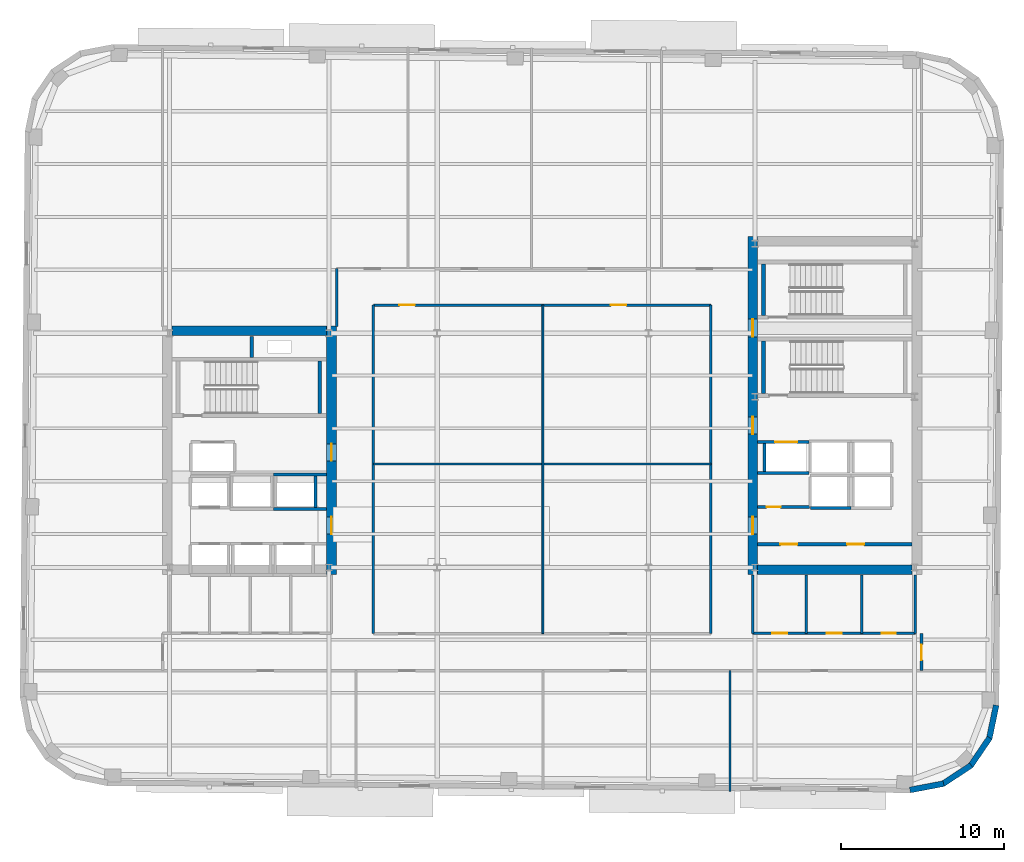
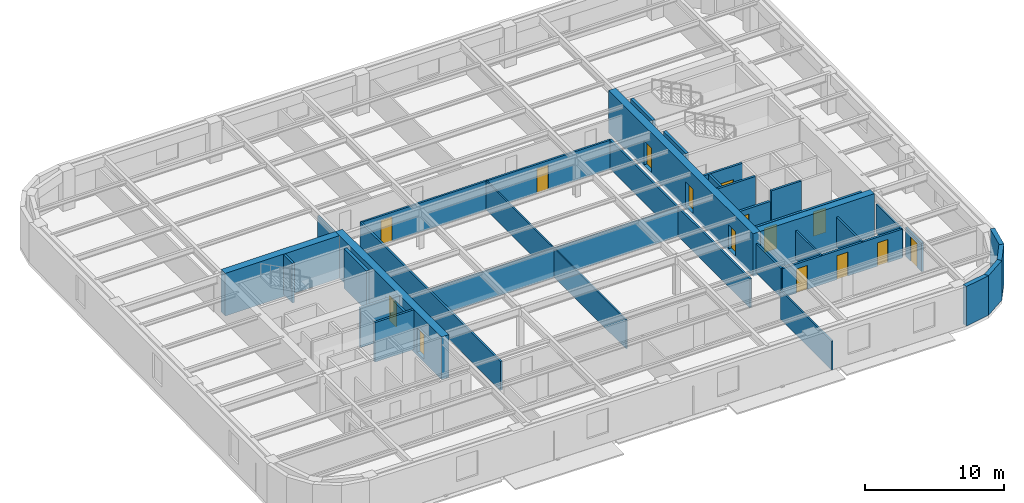
# One storey, part 5 of 11: 34 walls, 15 doors, 15 openings.
"""IFC4 building model written with IfcOpenShell, lengths in metres."""

import ifcopenshell
import ifcopenshell.guid

model = None  # the IFC model being written
_history = None  # IfcOwnerHistory: only IFC2X3 demands one
_inside = {}  # id of a spatial element -> (the spatial element, [elements in it])
_under = {}  # id of a project, library or spatial element -> (it, [spatial elements below it])
_declared = {}  # id of a project -> (the project, [libraries it declares])
_typed = {}  # id of a type object -> (the type object, [elements of that type])
_made_of = {}  # id of a material, layer set ... -> (it, [elements and type objects made of it])


def new_model(schema):
    """Start an empty IFC model of exactly this schema.

    Asked for "IFC4X3", IfcOpenShell would pick the latest addendum, in which some entities
    have other attributes; the version numbers below select the first issue.
    IFC2X3 requires an IfcOwnerHistory on every rooted entity: one is made here for all.
    """
    global model, _history
    if schema == "IFC4X3":
        model = ifcopenshell.file(schema_version=(4, 3, 0, 0))
    else:
        model = ifcopenshell.file(schema=schema)
    _inside.clear()
    _under.clear()
    _declared.clear()
    _typed.clear()
    _made_of.clear()
    _history = None
    if model.schema == "IFC2X3":
        org = make("IfcOrganization", Name="unknown")
        user = make(
            "IfcPersonAndOrganization",
            ThePerson=make("IfcPerson", FamilyName="unknown"),
            TheOrganization=org,
        )
        app = make(
            "IfcApplication",
            ApplicationDeveloper=org,
            Version="unknown",
            ApplicationFullName="unknown",
            ApplicationIdentifier="unknown",
        )
        _history = make(
            "IfcOwnerHistory",
            OwningUser=user,
            OwningApplication=app,
            ChangeAction="ADDED",
            CreationDate=0,
        )
    return model


def make(cls, **values):
    """One entity of the class cls with the attributes given. An attribute that is None is left unset."""
    return model.create_entity(
        cls, **{name: value for name, value in values.items() if value is not None}
    )


def rooted(cls, **values):
    """An entity with a GlobalId (a new one), such as an element, a storey or a relation."""
    return make(cls, GlobalId=ifcopenshell.guid.new(), OwnerHistory=_history, **values)


def si_unit(unit_type, name, prefix=None):
    """IfcSIUnit, for example si_unit("LENGTHUNIT", "METRE", prefix="MILLI")."""
    return make("IfcSIUnit", UnitType=unit_type, Prefix=prefix, Name=name)


def assignment(units):
    """IfcUnitAssignment: the units of a project."""
    return None if units is None else make("IfcUnitAssignment", Units=units)


def point(xyz):
    """IfcCartesianPoint."""
    return None if xyz is None else make("IfcCartesianPoint", Coordinates=xyz)


def direction(xyz):
    """IfcDirection."""
    return None if xyz is None else make("IfcDirection", DirectionRatios=xyz)


def frame(location, z_axis=None, x_axis=None):
    """IfcAxis2Placement3D, a coordinate frame: its origin and axes. An axis left out is left unset."""
    return make(
        "IfcAxis2Placement3D",
        Location=point(location),
        Axis=direction(z_axis),
        RefDirection=direction(x_axis),
    )


def frame_2d(location, x_axis=None):
    """IfcAxis2Placement2D, a coordinate frame in the plane: its origin and x axis."""
    return make(
        "IfcAxis2Placement2D", Location=point(location), RefDirection=direction(x_axis)
    )


def origin():
    """The frame at (0, 0, 0) with its axes left unset."""
    return frame((0.0, 0.0, 0.0))


def place(relative_to, where):
    """IfcLocalPlacement: puts the frame where relative to a parent placement (None: the world)."""
    return make(
        "IfcLocalPlacement", PlacementRelTo=relative_to, RelativePlacement=where
    )


def context(
    kind, dimensions, precision=None, world=None, true_north=None, identifier=None
):
    """IfcGeometricRepresentationContext, for example the 3D "Model" context."""
    return make(
        "IfcGeometricRepresentationContext",
        ContextIdentifier=identifier,
        ContextType=kind,
        CoordinateSpaceDimension=dimensions,
        Precision=precision,
        WorldCoordinateSystem=world,
        TrueNorth=true_north,
    )


def subcontext(parent, identifier, kind, view, scale=None):
    """IfcGeometricRepresentationSubContext, for example "Body" below "Model"."""
    return make(
        "IfcGeometricRepresentationSubContext",
        ContextIdentifier=identifier,
        ContextType=kind,
        ParentContext=parent,
        TargetScale=scale,
        TargetView=view,
    )


def project(units=None, contexts=None):
    """IfcProject with its units and contexts."""
    return rooted(
        "IfcProject",
        Name="project",
        RepresentationContexts=contexts,
        UnitsInContext=assignment(units),
    )


def spatial(cls, under=None, at=None, **own):
    """A site, building, storey or space (cls), placed at a placement, below another one or the project."""
    s = rooted(cls, ObjectPlacement=at, **own)
    if under is not None:
        _under.setdefault(under.id(), (under, []))[1].append(s)
    return s


def profile(cls, at=None, kind="AREA", **sizes):
    """A parametric profile (cls). Its sizes go by their IFC names, for example OverallWidth=200.0."""
    return make(cls, ProfileType=kind, Position=at, **sizes)


def rectangle(**sizes):
    """IfcRectangleProfileDef."""
    return profile("IfcRectangleProfileDef", **sizes)


def extrude(swept, where, along, depth):
    """IfcExtrudedAreaSolid: the profile swept, set in the frame where, extruded along a direction by depth."""
    return make(
        "IfcExtrudedAreaSolid",
        SweptArea=swept,
        Position=where,
        ExtrudedDirection=direction(along),
        Depth=depth,
    )


def shape(context_of_items, identifier, shape_type, items):
    """IfcShapeRepresentation: the items that make up one representation, for example the "Body"."""
    return make(
        "IfcShapeRepresentation",
        ContextOfItems=context_of_items,
        RepresentationIdentifier=identifier,
        RepresentationType=shape_type,
        Items=items,
    )


def material(Name=None, Category=None):
    """IfcMaterial."""
    return make("IfcMaterial", Name=Name, Category=Category)


def layer(
    of_material, thickness, ventilated=None, Name=None, Category=None, Priority=None
):
    """IfcMaterialLayer: one layer of a wall or slab, of a material (None: an air gap)."""
    return make(
        "IfcMaterialLayer",
        Material=of_material,
        LayerThickness=thickness,
        IsVentilated=ventilated,
        Name=Name,
        Category=Category,
        Priority=Priority,
    )


def layer_set(layers, Name=None):
    """IfcMaterialLayerSet."""
    return make("IfcMaterialLayerSet", MaterialLayers=layers, LayerSetName=Name)


def made_of(thing, what):
    """Note that an element or type object is made of a material, layer set ...; save() writes the relation."""
    if what is not None:
        _made_of.setdefault(what.id(), (what, []))[1].append(thing)
    return thing


def type_object(cls, material=None, **own):
    """A type object (cls), such as IfcWallType, which elements share."""
    return made_of(rooted(cls, **own), material)


def element(
    cls,
    number,
    at=None,
    inside=None,
    cuts=None,
    type_object=None,
    material=None,
    context=None,
    identifier="Body",
    shape_type=None,
    held_by="IfcProductDefinitionShape",
    body=None,
    shapes=None,
    **own,
):
    """One element of the class cls, such as IfcWall. Its Tag is "e" and its number.

    at: its placement. inside: the storey or other place that contains it. cuts: it is an
    opening in that element (IfcRelVoidsElement). A single representation is given by context,
    identifier, shape_type and body (its items); several are given by shapes. held_by: the class
    of the entity that holds the representations. save() writes the other relations.
    """
    e = rooted(cls, Tag="e%d" % number, ObjectPlacement=at, **own)
    if body is not None:
        shapes = [shape(context, identifier, shape_type, body)]
    if shapes is not None:
        e.Representation = make(held_by, Representations=shapes)
    if inside is not None:
        _inside.setdefault(inside.id(), (inside, []))[1].append(e)
    if cuts is not None:
        rooted(
            "IfcRelVoidsElement", RelatingBuildingElement=cuts, RelatedOpeningElement=e
        )
    if type_object is not None:
        _typed.setdefault(type_object.id(), (type_object, []))[1].append(e)
    return made_of(e, material)


def fill(opening, filler):
    """IfcRelFillsElement: the door or window that sits in an opening."""
    return rooted(
        "IfcRelFillsElement",
        RelatingOpeningElement=opening,
        RelatedBuildingElement=filler,
    )


def aggregate(whole, parts):
    """IfcRelAggregates: a whole, such as a stair, and the parts it consists of."""
    return rooted("IfcRelAggregates", RelatingObject=whole, RelatedObjects=parts)


def save(model, path):
    """Write the relations noted so far, then the file.

    IfcRelAggregates (storeys below a building ...), IfcRelContainedInSpatialStructure (elements
    in a storey), IfcRelDefinesByType, IfcRelAssociatesMaterial and IfcRelDeclares: one each for
    every whole, place, type object, material and project.
    """
    for whole, parts in _under.values():
        aggregate(whole, parts)
    for where, things in _inside.values():
        rooted(
            "IfcRelContainedInSpatialStructure",
            RelatedElements=things,
            RelatingStructure=where,
        )
    for kind, things in _typed.values():
        rooted("IfcRelDefinesByType", RelatedObjects=things, RelatingType=kind)
    for what, things in _made_of.values():
        rooted("IfcRelAssociatesMaterial", RelatedObjects=things, RelatingMaterial=what)
    for by, libraries in _declared.values():
        rooted("IfcRelDeclares", RelatingContext=by, RelatedDefinitions=libraries)
    model.write(path)


model = new_model("IFC4")

# Units and contexts
model_context = context("Model", 3, precision=1e-05, world=origin(), true_north=direction((0.0, 1.0)))
body_context = subcontext(model_context, "Body", "Model", "MODEL_VIEW")
ifc_project = project(units=[si_unit("LENGTHUNIT", "METRE"), si_unit("AREAUNIT", "SQUARE_METRE"), si_unit("VOLUMEUNIT", "CUBIC_METRE"), si_unit("PLANEANGLEUNIT", "RADIAN"), si_unit("MASSUNIT", "GRAM", prefix="KILO")], contexts=[model_context])

# Site, building, storey
site_placement = place(None, origin())
site = spatial("IfcSite", under=ifc_project, at=site_placement, CompositionType="ELEMENT")
building_placement = place(site_placement, origin())
building = spatial("IfcBuilding", under=site, at=building_placement, Name="Kolvaren Arena Tower", CompositionType="ELEMENT")
storey_placement = place(building_placement, frame((0.0, 0.0, 203.449951171875)))
storey = spatial("IfcBuildingStorey", under=building, at=storey_placement, Name="L49", CompositionType="ELEMENT", Elevation=203.449951171875)

# Wall
ifc_material_1 = material(Name="Gypsum board acoustic assembly", Category="gypsum")
ifc_layer_1 = layer(ifc_material_1, 0.159912109375)
ifc_layer_set_1 = layer_set([ifc_layer_1], Name="Gypsum board acoustic assembly")
wall_type_1 = type_object("IfcWallType", Name="CORR-160", PredefinedType="PARTITIONING", material=ifc_layer_set_1)
wall_1_placement = place(storey_placement, frame((24.820068359375, 34.25, 0.0), z_axis=(0.0, 0.0, 1.0), x_axis=(0.0, 1.0, 0.0)))
element("IfcWall", 1, at=wall_1_placement, inside=storey, type_object=wall_type_1, Name="Interior Partition Wall (L49)", PredefinedType="PARTITIONING", context=body_context, shape_type="SweptSolid", body=[
    extrude(rectangle(XDim=3.570068359375, YDim=0.159912109375, at=frame_2d((1.78515625, 0.0))), origin(), (0.0, 0.0, 1.0), 2.5400390625),
])

# Wall, openings, doors
wall_2_placement = place(storey_placement, frame((27.080078125, 35.580078125, 0.0), z_axis=(0.0, 0.0, 1.0), x_axis=(1.0, 0.0, 0.0)))
wall_2 = element("IfcWall", 2, at=wall_2_placement, inside=storey, type_object=wall_type_1, Name="Interior Partition Wall (L49)", PredefinedType="PARTITIONING", context=body_context, shape_type="SweptSolid", body=[
    extrude(rectangle(XDim=20.739990234375, YDim=0.159912109375, at=frame_2d((10.3701171875, 0.0))), origin(), (0.0, 0.0, 1.0), 2.5400390625),
])
opening_1_placement = place(wall_2_placement, frame((1.594970703125, 0.0, 0.0)))
opening_1 = element("IfcOpeningElement", 3, at=opening_1_placement, cuts=wall_2, Name="Opening D05", PredefinedType="OPENING", context=body_context, shape_type="SweptSolid", body=[
    extrude(rectangle(XDim=0.949951171875, YDim=2.14990234375, at=frame_2d((0.47509765625, 1.074951171875))), frame((0.0, 0.08984375, 0.0), z_axis=(0.0, -1.0, 0.0), x_axis=(1.0, 0.0, 0.0)), (0.0, 0.0, 1.0), 0.179931640625),
])
opening_2_placement = place(wall_2_placement, frame((14.594970703125, 0.0, 0.0)))
opening_2 = element("IfcOpeningElement", 4, at=opening_2_placement, cuts=wall_2, Name="Opening D05", PredefinedType="OPENING", context=body_context, shape_type="SweptSolid", body=[
    extrude(rectangle(XDim=0.949951171875, YDim=2.14990234375, at=frame_2d((0.47509765625, 1.074951171875))), frame((0.0, 0.08984375, 0.0), z_axis=(0.0, -1.0, 0.0), x_axis=(1.0, 0.0, 0.0)), (0.0, 0.0, 1.0), 0.179931640625),
])
ifc_material_2 = material(Name="Solid-core oak acoustic office door", Category="wood")
door_type_1 = type_object("IfcDoorType", Name="DOOR-OF-095", OperationType="NOTDEFINED", PredefinedType="DOOR", material=ifc_material_2)
door_1_placement = place(opening_1_placement, origin())
door_1 = element("IfcDoor", 5, at=door_1_placement, inside=storey, type_object=door_type_1, Name="Collaborative Work Studio Door (L49)", OperationType="SINGLE_SWING_LEFT", OverallHeight=2.14990234375, OverallWidth=0.949951171875, PredefinedType="DOOR", context=body_context, shape_type="SweptSolid", body=[
    extrude(rectangle(XDim=0.949951171875, YDim=2.14990234375, at=frame_2d((0.47509765625, 1.074951171875))), frame((0.0, 0.02490234375, 0.0), z_axis=(0.0, -1.0, 0.0), x_axis=(1.0, 0.0, 0.0)), (0.0, 0.0, 1.0), 0.050048828125),
])
fill(opening_1, door_1)
door_2_placement = place(opening_2_placement, origin())
door_2 = element("IfcDoor", 6, at=door_2_placement, inside=storey, type_object=door_type_1, Name="Corporate Project Office Door (L49)", OperationType="SINGLE_SWING_LEFT", OverallHeight=2.14990234375, OverallWidth=0.949951171875, PredefinedType="DOOR", context=body_context, shape_type="SweptSolid", body=[
    extrude(rectangle(XDim=0.949951171875, YDim=2.14990234375, at=frame_2d((0.47509765625, 1.074951171875))), frame((0.0, 0.02490234375, 0.0), z_axis=(0.0, -1.0, 0.0), x_axis=(1.0, 0.0, 0.0)), (0.0, 0.0, 1.0), 0.050048828125),
])
fill(opening_2, door_2)

# Walls
for number, where, z_axis, x_axis, name in (
    (7, (27.080078125, 15.3798828125, 0.0), (0.0, 0.0, 1.0), (0.0, 1.0, 0.0), "Interior Partition Wall (L49)"),
    (8, (47.820068359375, 15.3798828125, 0.0), (0.0, 0.0, 1.0), (0.0, 1.0, 0.0), "Interior Partition Wall (L49)"),
):
    element("IfcWall", number, at=place(storey_placement, frame(where, z_axis=z_axis, x_axis=x_axis)), inside=storey, type_object=wall_type_1, Name=name, PredefinedType="PARTITIONING", context=body_context, shape_type="SweptSolid", body=[
        extrude(rectangle(XDim=20.2001953125, YDim=0.159912109375, at=frame_2d((10.10009765625, 0.0))), origin(), (0.0, 0.0, 1.0), 2.5400390625),
    ])

# Wall, opening, door
wall_3_placement = place(storey_placement, frame((60.780029296875, 13.10009765625, 0.0), z_axis=(0.0, 0.0, 1.0), x_axis=(0.0, 1.0, 0.0)))
wall_3 = element("IfcWall", 9, at=wall_3_placement, inside=storey, type_object=wall_type_1, Name="Interior Partition Wall (L49)", PredefinedType="PARTITIONING", context=body_context, shape_type="SweptSolid", body=[
    extrude(rectangle(XDim=2.2998046875, YDim=0.159912109375, at=frame_2d((1.14990234375, 0.0))), origin(), (0.0, 0.0, 1.0), 2.5400390625),
])
opening_3_placement = place(wall_3_placement, frame((0.64990234375, 0.0, 0.0)))
opening_3 = element("IfcOpeningElement", 10, at=opening_3_placement, cuts=wall_3, Name="Opening D05", PredefinedType="OPENING", context=body_context, shape_type="SweptSolid", body=[
    extrude(rectangle(XDim=0.949951171875, YDim=2.14990234375, at=frame_2d((0.47509765625, 1.074951171875))), frame((0.0, 0.08984375, 0.0), z_axis=(0.0, -1.0, 0.0), x_axis=(1.0, 0.0, 0.0)), (0.0, 0.0, 1.0), 0.179931640625),
])
door_3_placement = place(opening_3_placement, origin())
door_3 = element("IfcDoor", 11, at=door_3_placement, inside=storey, type_object=door_type_1, Name="East Wing Studio Door (L49)", OperationType="SINGLE_SWING_RIGHT", OverallHeight=2.14990234375, OverallWidth=0.949951171875, PredefinedType="DOOR", context=body_context, shape_type="SweptSolid", body=[
    extrude(rectangle(XDim=0.949951171875, YDim=2.14990234375, at=frame_2d((0.47509765625, 1.074951171875))), frame((0.0, 0.02490234375, 0.0), z_axis=(0.0, -1.0, 0.0), x_axis=(1.0, 0.0, 0.0)), (0.0, 0.0, 1.0), 0.050048828125),
])
fill(opening_3, door_3)

# Wall, openings, doors
ifc_material_3 = material(Name="Concrete 60 MPa", Category="concrete")
ifc_layer_2 = layer(ifc_material_3, 0.60009765625)
ifc_layer_set_2 = layer_set([ifc_layer_2], Name="Concrete 60 MPa")
wall_type_2 = type_object("IfcWallType", Name="CWALL-600", PredefinedType="SHEAR", material=ifc_layer_set_2)
wall_4_placement = place(storey_placement, frame((24.5, 19.0, -0.27001953125), z_axis=(0.0, 0.0, 1.0), x_axis=(0.0, 1.0, 0.0)))
wall_4 = element("IfcWall", 12, at=wall_4_placement, inside=storey, type_object=wall_type_2, Name="Core Shear Wall WC-EAST (L49)", PredefinedType="SHEAR", context=body_context, shape_type="SweptSolid", body=[
    extrude(rectangle(XDim=15.300048828125, YDim=0.60009765625, at=frame_2d((7.64990234375, 0.0))), origin(), (0.0, 0.0, 1.0), 3.75),
])
opening_4_placement = place(wall_4_placement, frame((2.5, 0.0, 0.27001953125)))
opening_4 = element("IfcOpeningElement", 13, at=opening_4_placement, cuts=wall_4, Name="Opening D04", PredefinedType="OPENING", context=body_context, shape_type="SweptSolid", body=[
    extrude(rectangle(XDim=1.050048828125, YDim=2.14990234375, at=frame_2d((0.52490234375, 1.074951171875))), frame((0.0, 0.31005859375, 0.0), z_axis=(0.0, -1.0, 0.0), x_axis=(1.0, 0.0, 0.0)), (0.0, 0.0, 1.0), 0.6201171875),
])
opening_5_placement = place(wall_4_placement, frame((7.0, 0.0, 0.27001953125)))
opening_5 = element("IfcOpeningElement", 14, at=opening_5_placement, cuts=wall_4, Name="Opening D04", PredefinedType="OPENING", context=body_context, shape_type="SweptSolid", body=[
    extrude(rectangle(XDim=1.050048828125, YDim=2.14990234375, at=frame_2d((0.52490234375, 1.074951171875))), frame((0.0, 0.31005859375, 0.0), z_axis=(0.0, -1.0, 0.0), x_axis=(1.0, 0.0, 0.0)), (0.0, 0.0, 1.0), 0.6201171875),
])
ifc_material_4 = material(Name="Fire-rated steel lobby door", Category="steel")
door_type_2 = type_object("IfcDoorType", Name="DOOR-FF-105", OperationType="NOTDEFINED", PredefinedType="DOOR", material=ifc_material_4)
door_4_placement = place(opening_4_placement, origin())
door_4 = element("IfcDoor", 15, at=door_4_placement, inside=storey, type_object=door_type_2, Name="West Lift Lobby Fire Door (L49)", OperationType="SINGLE_SWING_LEFT", OverallHeight=2.14990234375, OverallWidth=1.050048828125, PredefinedType="DOOR", context=body_context, shape_type="SweptSolid", body=[
    extrude(rectangle(XDim=1.050048828125, YDim=2.14990234375, at=frame_2d((0.52490234375, 1.074951171875))), frame((0.0, 0.02490234375, 0.0), z_axis=(0.0, -1.0, 0.0), x_axis=(1.0, 0.0, 0.0)), (0.0, 0.0, 1.0), 0.050048828125),
])
fill(opening_4, door_4)
door_5_placement = place(opening_5_placement, origin())
door_5 = element("IfcDoor", 16, at=door_5_placement, inside=storey, type_object=door_type_2, Name="West Firefighter Vestibule Door (L49)", OperationType="SINGLE_SWING_RIGHT", OverallHeight=2.14990234375, OverallWidth=1.050048828125, PredefinedType="DOOR", context=body_context, shape_type="SweptSolid", body=[
    extrude(rectangle(XDim=1.050048828125, YDim=2.14990234375, at=frame_2d((0.52490234375, 1.074951171875))), frame((0.0, 0.02490234375, 0.0), z_axis=(0.0, -1.0, 0.0), x_axis=(1.0, 0.0, 0.0)), (0.0, 0.0, 1.0), 0.050048828125),
])
fill(opening_5, door_5)

# Wall
wall_5_placement = place(storey_placement, frame((14.699951171875, 34.0, -0.27001953125), z_axis=(0.0, 0.0, 1.0), x_axis=(1.0, 0.0, 0.0)))
element("IfcWall", 17, at=wall_5_placement, inside=storey, type_object=wall_type_2, Name="Core Shear Wall WC-NORTH (L49)", PredefinedType="SHEAR", context=body_context, shape_type="SweptSolid", body=[
    extrude(rectangle(XDim=9.5, YDim=0.60009765625, at=frame_2d((4.75, 0.0))), origin(), (0.0, 0.0, 1.0), 3.75),
])

# Wall, openings, doors
wall_6_placement = place(storey_placement, frame((50.39990234375, 19.0, -0.27001953125), z_axis=(0.0, 0.0, 1.0), x_axis=(0.0, 1.0, 0.0)))
wall_6 = element("IfcWall", 18, at=wall_6_placement, inside=storey, type_object=wall_type_2, Name="Core Shear Wall EC-WEST (L49)", PredefinedType="SHEAR", context=body_context, shape_type="SweptSolid", body=[
    extrude(rectangle(XDim=20.800048828125, YDim=0.60009765625, at=frame_2d((10.39990234375, 0.0))), origin(), (0.0, 0.0, 1.0), 3.75),
])
opening_6_placement = place(wall_6_placement, frame((2.5, 0.0, 0.27001953125)))
opening_6 = element("IfcOpeningElement", 19, at=opening_6_placement, cuts=wall_6, Name="Opening D04", PredefinedType="OPENING", context=body_context, shape_type="SweptSolid", body=[
    extrude(rectangle(XDim=1.050048828125, YDim=2.14990234375, at=frame_2d((0.52490234375, 1.074951171875))), frame((0.0, 0.31005859375, 0.0), z_axis=(0.0, -1.0, 0.0), x_axis=(1.0, 0.0, 0.0)), (0.0, 0.0, 1.0), 0.6201171875),
])
opening_7_placement = place(wall_6_placement, frame((8.64990234375, 0.0, 0.27001953125)))
opening_7 = element("IfcOpeningElement", 20, at=opening_7_placement, cuts=wall_6, Name="Opening D04", PredefinedType="OPENING", context=body_context, shape_type="SweptSolid", body=[
    extrude(rectangle(XDim=1.050048828125, YDim=2.14990234375, at=frame_2d((0.52490234375, 1.074951171875))), frame((0.0, 0.31005859375, 0.0), z_axis=(0.0, -1.0, 0.0), x_axis=(1.0, 0.0, 0.0)), (0.0, 0.0, 1.0), 0.6201171875),
])
opening_8_placement = place(wall_6_placement, frame((14.6201171875, 0.0, 0.27001953125)))
opening_8 = element("IfcOpeningElement", 21, at=opening_8_placement, cuts=wall_6, Name="Opening D03", PredefinedType="OPENING", context=body_context, shape_type="SweptSolid", body=[
    extrude(rectangle(XDim=1.10009765625, YDim=2.14990234375, at=frame_2d((0.550048828125, 1.074951171875))), frame((0.0, 0.31005859375, 0.0), z_axis=(0.0, -1.0, 0.0), x_axis=(1.0, 0.0, 0.0)), (0.0, 0.0, 1.0), 0.6201171875),
])
door_6_placement = place(opening_6_placement, origin())
door_6 = element("IfcDoor", 22, at=door_6_placement, inside=storey, type_object=door_type_2, Name="East Lift Lobby Fire Door (L49)", OperationType="SINGLE_SWING_RIGHT", OverallHeight=2.14990234375, OverallWidth=1.050048828125, PredefinedType="DOOR", context=body_context, shape_type="SweptSolid", body=[
    extrude(rectangle(XDim=1.050048828125, YDim=2.14990234375, at=frame_2d((0.52490234375, 1.074951171875))), frame((0.0, 0.02490234375, 0.0), z_axis=(0.0, -1.0, 0.0), x_axis=(1.0, 0.0, 0.0)), (0.0, 0.0, 1.0), 0.050048828125),
])
fill(opening_6, door_6)
door_7_placement = place(opening_7_placement, origin())
door_7 = element("IfcDoor", 23, at=door_7_placement, inside=storey, type_object=door_type_2, Name="East Firefighter Vestibule Door (L49)", OperationType="SINGLE_SWING_LEFT", OverallHeight=2.14990234375, OverallWidth=1.050048828125, PredefinedType="DOOR", context=body_context, shape_type="SweptSolid", body=[
    extrude(rectangle(XDim=1.050048828125, YDim=2.14990234375, at=frame_2d((0.52490234375, 1.074951171875))), frame((0.0, 0.02490234375, 0.0), z_axis=(0.0, -1.0, 0.0), x_axis=(1.0, 0.0, 0.0)), (0.0, 0.0, 1.0), 0.050048828125),
])
fill(opening_7, door_7)
ifc_material_5 = material(Name="Fire-rated steel exit stair door", Category="steel")
door_type_3 = type_object("IfcDoorType", Name="DOOR-ST-110", OperationType="NOTDEFINED", PredefinedType="DOOR", material=ifc_material_5)
door_8_placement = place(opening_8_placement, origin())
door_8 = element("IfcDoor", 24, at=door_8_placement, inside=storey, type_object=door_type_3, Name="Stair ST-E2 Vestibule Fire Door (L49)", OperationType="SINGLE_SWING_LEFT", OverallHeight=2.14990234375, OverallWidth=1.10009765625, PredefinedType="DOOR", context=body_context, shape_type="SweptSolid", body=[
    extrude(rectangle(XDim=1.10009765625, YDim=2.14990234375, at=frame_2d((0.550048828125, 1.074951171875))), frame((0.0, 0.02490234375, 0.0), z_axis=(0.0, -1.0, 0.0), x_axis=(1.0, 0.0, 0.0)), (0.0, 0.0, 1.0), 0.050048828125),
])
fill(opening_8, door_8)

# Walls
wall_7_placement = place(storey_placement, frame((50.699951171875, 19.300048828125, -0.27001953125), z_axis=(0.0, 0.0, 1.0), x_axis=(1.0, 0.0, 0.0)))
element("IfcWall", 25, at=wall_7_placement, inside=storey, type_object=wall_type_2, Name="Core Shear Wall EC-SOUTH (L49)", PredefinedType="SHEAR", context=body_context, shape_type="SweptSolid", body=[
    extrude(rectangle(XDim=9.5, YDim=0.60009765625, at=frame_2d((4.75, 0.0))), origin(), (0.0, 0.0, 1.0), 3.75),
])
ifc_material_6 = material(Name="Precast concrete C50/60", Category="concrete")
ifc_layer_3 = layer(ifc_material_6, 0.360107421875)
ifc_layer_set_3 = layer_set([ifc_layer_3], Name="Precast concrete C50/60")
wall_type_3 = type_object("IfcWallType", Name="EXT-PIER2", PredefinedType="SOLIDWALL", material=ifc_layer_set_3)
wall_8_placement = place(storey_placement, frame((62.136474609375, 6.155029296875, 0.0), z_axis=(0.0, 0.0, 1.0), x_axis=(-0.98246713518, -0.186435855703, 0.0)))
element("IfcWall", 26, at=wall_8_placement, inside=storey, type_object=wall_type_3, Name="Exterior Precast Masonry-Frame Wall (L49)", PredefinedType="SOLIDWALL", context=body_context, shape_type="SweptSolid", body=[
    extrude(rectangle(XDim=2.10693359375, YDim=0.360107421875, at=frame_2d((1.053466796875, 0.0))), origin(), (0.0, 0.0, 1.0), 3.47998046875),
])
wall_9_placement = place(storey_placement, frame((63.83349609375, 7.2841796875, 0.0), z_axis=(0.0, 0.0, 1.0), x_axis=(-0.836303589916, -0.548266637224, 0.0)))
element("IfcWall", 27, at=wall_9_placement, inside=storey, type_object=wall_type_3, Name="Exterior Precast Masonry-Frame Wall (L49)", PredefinedType="SOLIDWALL", context=body_context, shape_type="SweptSolid", body=[
    extrude(rectangle(XDim=2.107177734375, YDim=0.360107421875, at=frame_2d((1.0537109375, 0.0))), origin(), (0.0, 0.0, 1.0), 3.47998046875),
])
for number, where, z_axis, x_axis, name in (
    (28, (64.968994140625, 8.9765625, 0.0), (0.0, 0.0, 1.0), (-0.56277581689, -0.826609569219, 0.0), "Exterior Precast Masonry-Frame Wall (L49)"),
    (29, (65.370849609375, 10.974609375, 0.0), (0.0, 0.0, 1.0), (-0.203709000552, -0.979031482177, 0.0), "Exterior Precast Masonry-Frame Wall (L49)"),
):
    element("IfcWall", number, at=place(storey_placement, frame(where, z_axis=z_axis, x_axis=x_axis)), inside=storey, type_object=wall_type_3, Name=name, PredefinedType="SOLIDWALL", context=body_context, shape_type="SweptSolid", body=[
        extrude(rectangle(XDim=2.10693359375, YDim=0.360107421875, at=frame_2d((1.053466796875, 0.0))), origin(), (0.0, 0.0, 1.0), 3.47998046875),
    ])

# Wall, openings, doors
ifc_material_7 = material(Name="Concrete 40 MPa", Category="concrete")
ifc_layer_4 = layer(ifc_material_7, 0.199951171875)
ifc_layer_set_4 = layer_set([ifc_layer_4], Name="Concrete 40 MPa")
wall_type_4 = type_object("IfcWallType", Name="LOBBY-200", PredefinedType="SOLIDWALL", material=ifc_layer_set_4)
wall_10_placement = place(storey_placement, frame((50.699951171875, 20.8798828125, 0.0), z_axis=(0.0, 0.0, 1.0), x_axis=(1.0, 0.0, 0.0)))
wall_10 = element("IfcWall", 30, at=wall_10_placement, inside=storey, type_object=wall_type_4, Name="Core Shaft Wall (L49)", PredefinedType="SOLIDWALL", context=body_context, shape_type="SweptSolid", body=[
    extrude(rectangle(XDim=9.5, YDim=0.199951171875, at=frame_2d((4.75, 0.0))), origin(), (0.0, 0.0, 1.0), 2.5400390625),
])
opening_9_placement = place(wall_10_placement, frame((1.39990234375, 0.0, 0.0)))
opening_9 = element("IfcOpeningElement", 31, at=opening_9_placement, cuts=wall_10, Name="Opening D04", PredefinedType="OPENING", context=body_context, shape_type="SweptSolid", body=[
    extrude(rectangle(XDim=1.050048828125, YDim=2.14990234375, at=frame_2d((0.52490234375, 1.074951171875))), frame((0.0, 0.10986328125, 0.0), z_axis=(0.0, -1.0, 0.0), x_axis=(1.0, 0.0, 0.0)), (0.0, 0.0, 1.0), 0.219970703125),
])
opening_10_placement = place(wall_10_placement, frame((5.5, 0.0, 0.0)))
opening_10 = element("IfcOpeningElement", 32, at=opening_10_placement, cuts=wall_10, Name="Opening D04", PredefinedType="OPENING", context=body_context, shape_type="SweptSolid", body=[
    extrude(rectangle(XDim=1.050048828125, YDim=2.14990234375, at=frame_2d((0.52490234375, 1.074951171875))), frame((0.0, 0.10986328125, 0.0), z_axis=(0.0, -1.0, 0.0), x_axis=(1.0, 0.0, 0.0)), (0.0, 0.0, 1.0), 0.219970703125),
])
door_9_placement = place(opening_9_placement, origin())
door_9 = element("IfcDoor", 33, at=door_9_placement, inside=storey, type_object=door_type_2, Name="East Telecom Room Fire Door (L49)", OperationType="SINGLE_SWING_RIGHT", OverallHeight=2.14990234375, OverallWidth=1.050048828125, PredefinedType="DOOR", context=body_context, shape_type="SweptSolid", body=[
    extrude(rectangle(XDim=1.050048828125, YDim=2.14990234375, at=frame_2d((0.52490234375, 1.074951171875))), frame((0.0, 0.02490234375, 0.0), z_axis=(0.0, -1.0, 0.0), x_axis=(1.0, 0.0, 0.0)), (0.0, 0.0, 1.0), 0.050048828125),
])
fill(opening_9, door_9)
door_10_placement = place(opening_10_placement, origin())
door_10 = element("IfcDoor", 34, at=door_10_placement, inside=storey, type_object=door_type_2, Name="East Records Room Fire Door (L49)", OperationType="SINGLE_SWING_LEFT", OverallHeight=2.14990234375, OverallWidth=1.050048828125, PredefinedType="DOOR", context=body_context, shape_type="SweptSolid", body=[
    extrude(rectangle(XDim=1.050048828125, YDim=2.14990234375, at=frame_2d((0.52490234375, 1.074951171875))), frame((0.0, 0.02490234375, 0.0), z_axis=(0.0, -1.0, 0.0), x_axis=(1.0, 0.0, 0.0)), (0.0, 0.0, 1.0), 0.050048828125),
])
fill(opening_10, door_10)

# Wall, opening, door
wall_11_placement = place(storey_placement, frame((50.699951171875, 23.159912109375, 0.0), z_axis=(0.0, 0.0, 1.0), x_axis=(1.0, 0.0, 0.0)))
wall_11 = element("IfcWall", 35, at=wall_11_placement, inside=storey, type_object=wall_type_4, Name="Core Shaft Wall (L49)", PredefinedType="SOLIDWALL", context=body_context, shape_type="SweptSolid", body=[
    extrude(rectangle(XDim=3.179931640625, YDim=0.199951171875, at=frame_2d((1.58984375, 0.0))), origin(), (0.0, 0.0, 1.0), 2.5400390625),
])
opening_11_placement = place(wall_11_placement, frame((0.550048828125, 0.0, 0.0)))
opening_11 = element("IfcOpeningElement", 36, at=opening_11_placement, cuts=wall_11, Name="Opening D09", PredefinedType="OPENING", context=body_context, shape_type="SweptSolid", body=[
    extrude(rectangle(XDim=0.860107421875, YDim=2.050048828125, at=frame_2d((0.43017578125, 1.02490234375))), frame((0.0, 0.10986328125, 0.0), z_axis=(0.0, -1.0, 0.0), x_axis=(1.0, 0.0, 0.0)), (0.0, 0.0, 1.0), 0.219970703125),
])
ifc_material_8 = material(Name="Fire-rated steel riser access door", Category="steel")
door_type_4 = type_object("IfcDoorType", Name="DOOR-RS-086", OperationType="NOTDEFINED", PredefinedType="DOOR", material=ifc_material_8)
door_11_placement = place(opening_11_placement, origin())
door_11 = element("IfcDoor", 37, at=door_11_placement, inside=storey, type_object=door_type_4, Name="East AV Riser Closet Door (L49)", OperationType="SINGLE_SWING_LEFT", OverallHeight=2.050048828125, OverallWidth=0.860107421875, PredefinedType="DOOR", context=body_context, shape_type="SweptSolid", body=[
    extrude(rectangle(XDim=0.860107421875, YDim=2.050048828125, at=frame_2d((0.43017578125, 1.02490234375))), frame((0.0, 0.02490234375, 0.0), z_axis=(0.0, -1.0, 0.0), x_axis=(1.0, 0.0, 0.0)), (0.0, 0.0, 1.0), 0.050048828125),
])
fill(opening_11, door_11)

# Walls
ifc_material_9 = material(Name="Gypsum board partition assembly", Category="gypsum")
ifc_layer_5 = layer(ifc_material_9, 0.114990234375)
ifc_layer_set_5 = layer_set([ifc_layer_5], Name="Gypsum board partition assembly")
wall_type_5 = type_object("IfcWallType", Name="PART-115", PredefinedType="PARTITIONING", material=ifc_layer_set_5)
wall_12_placement = place(storey_placement, frame((37.5, 15.3798828125, 0.0), z_axis=(0.0, 0.0, 1.0), x_axis=(0.0, 1.0, 0.0)))
element("IfcWall", 38, at=wall_12_placement, inside=storey, type_object=wall_type_5, Name="Interior Partition Wall (L49)", PredefinedType="PARTITIONING", context=body_context, shape_type="SweptSolid", body=[
    extrude(rectangle(XDim=20.2001953125, YDim=0.114990234375, at=frame_2d((10.10009765625, 0.0))), origin(), (0.0, 0.0, 1.0), 2.5400390625),
])
ifc_layer_6 = layer(ifc_material_9, 0.135009765625)
ifc_layer_set_6 = layer_set([ifc_layer_6], Name="Gypsum board partition assembly")
wall_type_6 = type_object("IfcWallType", Name="PART-135", PredefinedType="PARTITIONING", material=ifc_layer_set_6)
wall_13_placement = place(storey_placement, frame((49.0, 5.68212890625, 0.0), z_axis=(0.0, 0.0, 1.0), x_axis=(0.0, 1.0, 0.0)))
element("IfcWall", 39, at=wall_13_placement, inside=storey, type_object=wall_type_6, Name="Interior Partition Wall (L49)", PredefinedType="PARTITIONING", context=body_context, shape_type="SweptSolid", body=[
    extrude(rectangle(XDim=7.41796875, YDim=0.135009765625, at=frame_2d((3.708984375, 0.0))), origin(), (0.0, 0.0, 1.0), 2.5400390625),
])
wall_14_placement = place(storey_placement, frame((27.080078125, 25.800048828125, 0.0), z_axis=(0.0, 0.0, 1.0), x_axis=(1.0, 0.0, 0.0)))
element("IfcWall", 40, at=wall_14_placement, inside=storey, type_object=wall_type_6, Name="Interior Partition Wall (L49)", PredefinedType="PARTITIONING", context=body_context, shape_type="SweptSolid", body=[
    extrude(rectangle(XDim=20.739990234375, YDim=0.135009765625, at=frame_2d((10.3701171875, 0.0))), origin(), (0.0, 0.0, 1.0), 2.5400390625),
])
ifc_material_10 = material(Name="Concrete 45 MPa", Category="concrete")
ifc_layer_7 = layer(ifc_material_10, 0.25)
ifc_layer_set_7 = layer_set([ifc_layer_7], Name="Concrete 45 MPa")
wall_type_7 = type_object("IfcWallType", Name="SHAFT-250", PredefinedType="SOLIDWALL", material=ifc_layer_set_7)
for number, where, z_axis, x_axis, name in (
    (41, (23.780029296875, 28.89990234375, 0.0), (0.0, 0.0, 1.0), (0.0, 1.0, 0.0), "Core Shaft Wall (L49)"),
    (42, (51.06005859375, 30.14990234375, 0.0), (0.0, 0.0, 1.0), (0.0, 1.0, 0.0), "Core Shaft Wall (L49)"),
):
    element("IfcWall", number, at=place(storey_placement, frame(where, z_axis=z_axis, x_axis=x_axis)), inside=storey, type_object=wall_type_7, Name=name, PredefinedType="SOLIDWALL", context=body_context, shape_type="SweptSolid", body=[
        extrude(rectangle(XDim=3.22998046875, YDim=0.239990234375, at=frame_2d((1.614990234375, 0.0))), origin(), (0.0, 0.0, 1.0), 3.47998046875),
    ])
wall_15_placement = place(storey_placement, frame((51.06005859375, 34.949951171875, 0.0), z_axis=(0.0, 0.0, 1.0), x_axis=(0.0, 1.0, 0.0)))
element("IfcWall", 43, at=wall_15_placement, inside=storey, type_object=wall_type_7, Name="Core Shaft Wall (L49)", PredefinedType="SOLIDWALL", context=body_context, shape_type="SweptSolid", body=[
    extrude(rectangle(XDim=3.150146484375, YDim=0.239990234375, at=frame_2d((1.5751953125, 0.0))), origin(), (0.0, 0.0, 1.0), 3.47998046875),
])
wall_16_placement = place(storey_placement, frame((19.60009765625, 32.3701171875, 0.0), z_axis=(0.0, 0.0, 1.0), x_axis=(0.0, 1.0, 0.0)))
element("IfcWall", 44, at=wall_16_placement, inside=storey, type_object=wall_type_7, Name="Core Shaft Wall (L49)", PredefinedType="SOLIDWALL", context=body_context, shape_type="SweptSolid", body=[
    extrude(rectangle(XDim=1.27978515625, YDim=0.199951171875, at=frame_2d((0.639892578125, 0.0))), origin(), (0.0, 0.0, 1.0), 3.47998046875),
])
wall_17_placement = place(storey_placement, frame((53.93994140625, 23.094970703125, 0.0), z_axis=(0.0, 0.0, 1.0), x_axis=(1.0, 0.0, 0.0)))
element("IfcWall", 45, at=wall_17_placement, inside=storey, type_object=wall_type_7, Name="Core Shaft Wall (L49)", PredefinedType="SOLIDWALL", context=body_context, shape_type="SweptSolid", body=[
    extrude(rectangle(XDim=2.5, YDim=0.179931640625, at=frame_2d((1.25, 0.0))), origin(), (0.0, 0.0, 1.0), 3.47998046875),
])

# Wall, opening, door
wall_18_placement = place(storey_placement, frame((50.699951171875, 27.155029296875, 0.0), z_axis=(0.0, 0.0, 1.0), x_axis=(1.0, 0.0, 0.0)))
wall_18 = element("IfcWall", 46, at=wall_18_placement, inside=storey, type_object=wall_type_7, Name="Core Shaft Wall (L49)", PredefinedType="SOLIDWALL", context=body_context, shape_type="SweptSolid", body=[
    extrude(rectangle(XDim=3.1650390625, YDim=0.179931640625, at=frame_2d((1.58251953125, 0.0))), origin(), (0.0, 0.0, 1.0), 3.47998046875),
])
opening_12_placement = place(wall_18_placement, frame((1.0849609375, 0.0, 0.0)))
opening_12 = element("IfcOpeningElement", 47, at=opening_12_placement, cuts=wall_18, Name="Opening LD2", PredefinedType="OPENING", context=body_context, shape_type="SweptSolid", body=[
    extrude(rectangle(XDim=1.35009765625, YDim=2.300048828125, at=frame_2d((0.675048828125, 1.14990234375))), frame((0.0, 0.099853515625, 0.0), z_axis=(0.0, -1.0, 0.0), x_axis=(1.0, 0.0, 0.0)), (0.0, 0.0, 1.0), 0.199951171875),
])
ifc_material_11 = material(Name="Stainless steel firefighter lift landing door", Category="steel")
door_type_5 = type_object("IfcDoorType", Name="DOOR-LD-135", OperationType="DOUBLE_DOOR_SLIDING", PredefinedType="DOOR", material=ifc_material_11)
door_12_placement = place(opening_12_placement, origin())
door_12 = element("IfcDoor", 48, at=door_12_placement, inside=storey, type_object=door_type_5, Name="Firefighter Lift FF-E1 Landing Door (L49)", OperationType="DOUBLE_DOOR_SLIDING", OverallHeight=2.300048828125, OverallWidth=1.35009765625, PredefinedType="DOOR", context=body_context, shape_type="SweptSolid", body=[
    extrude(rectangle(XDim=1.35009765625, YDim=2.300048828125, at=frame_2d((0.675048828125, 1.14990234375))), frame((0.0, 0.02490234375, 0.0), z_axis=(0.0, -1.0, 0.0), x_axis=(1.0, 0.0, 0.0)), (0.0, 0.0, 1.0), 0.050048828125),
])
fill(opening_12, door_12)

# Walls
wall_19_placement = place(storey_placement, frame((50.699951171875, 25.2451171875, 0.0), z_axis=(0.0, 0.0, 1.0), x_axis=(1.0, 0.0, 0.0)))
element("IfcWall", 49, at=wall_19_placement, inside=storey, type_object=wall_type_7, Name="Core Shaft Wall (L49)", PredefinedType="SOLIDWALL", context=body_context, shape_type="SweptSolid", body=[
    extrude(rectangle(XDim=3.1650390625, YDim=0.179931640625, at=frame_2d((1.58251953125, 0.0))), origin(), (0.0, 0.0, 1.0), 3.47998046875),
])
wall_20_placement = place(storey_placement, frame((51.1298828125, 25.3349609375, 0.0), z_axis=(0.0, 0.0, 1.0), x_axis=(0.0, 1.0, 0.0)))
element("IfcWall", 50, at=wall_20_placement, inside=storey, type_object=wall_type_7, Name="Core Shaft Wall (L49)", PredefinedType="SOLIDWALL", context=body_context, shape_type="SweptSolid", body=[
    extrude(rectangle(XDim=1.72998046875, YDim=0.179931640625, at=frame_2d((0.864990234375, 0.0))), origin(), (0.0, 0.0, 1.0), 3.47998046875),
])
for number, where, z_axis, x_axis, name in (
    (51, (20.949951171875, 25.155029296875, 0.0), (0.0, 0.0, 1.0), (1.0, 0.0, 0.0), "Core Shaft Wall (L49)"),
    (52, (20.949951171875, 23.044921875, 0.0), (0.0, 0.0, 1.0), (1.0, 0.0, 0.0), "Core Shaft Wall (L49)"),
):
    element("IfcWall", number, at=place(storey_placement, frame(where, z_axis=z_axis, x_axis=x_axis)), inside=storey, type_object=wall_type_7, Name=name, PredefinedType="SOLIDWALL", context=body_context, shape_type="SweptSolid", body=[
        extrude(rectangle(XDim=3.25, YDim=0.179931640625, at=frame_2d((1.625, 0.0))), origin(), (0.0, 0.0, 1.0), 3.47998046875),
    ])
wall_21_placement = place(storey_placement, frame((23.530029296875, 23.135009765625, 0.0), z_axis=(0.0, 0.0, 1.0), x_axis=(0.0, 1.0, 0.0)))
element("IfcWall", 53, at=wall_21_placement, inside=storey, type_object=wall_type_7, Name="Core Shaft Wall (L49)", PredefinedType="SOLIDWALL", context=body_context, shape_type="SweptSolid", body=[
    extrude(rectangle(XDim=1.929931640625, YDim=0.179931640625, at=frame_2d((0.96484375, 0.0))), origin(), (0.0, 0.0, 1.0), 3.47998046875),
])

# Wall, openings, doors
wall_22_placement = place(storey_placement, frame((50.39990234375, 15.39990234375, 0.0), z_axis=(0.0, 0.0, 1.0), x_axis=(1.0, 0.0, 0.0)))
wall_22 = element("IfcWall", 54, at=wall_22_placement, inside=storey, type_object=wall_type_7, Name="Interior Partition Wall (L49)", PredefinedType="SOLIDWALL", context=body_context, shape_type="SweptSolid", body=[
    extrude(rectangle(XDim=10.0, YDim=0.179931640625, at=frame_2d((5.0, 0.0))), origin(), (0.0, 0.0, 1.0), 2.5400390625),
])
opening_13_placement = place(wall_22_placement, frame((1.18994140625, 0.0, 0.0)))
opening_13 = element("IfcOpeningElement", 55, at=opening_13_placement, cuts=wall_22, Name="Opening D07", PredefinedType="OPENING", context=body_context, shape_type="SweptSolid", body=[
    extrude(rectangle(XDim=0.919921875, YDim=2.10009765625, at=frame_2d((0.4599609375, 1.050048828125))), frame((0.0, 0.099853515625, 0.0), z_axis=(0.0, -1.0, 0.0), x_axis=(1.0, 0.0, 0.0)), (0.0, 0.0, 1.0), 0.199951171875),
])
opening_14_placement = place(wall_22_placement, frame((4.5400390625, 0.0, 0.0)))
opening_14 = element("IfcOpeningElement", 56, at=opening_14_placement, cuts=wall_22, Name="Opening D07", PredefinedType="OPENING", context=body_context, shape_type="SweptSolid", body=[
    extrude(rectangle(XDim=0.919921875, YDim=2.10009765625, at=frame_2d((0.4599609375, 1.050048828125))), frame((0.0, 0.099853515625, 0.0), z_axis=(0.0, -1.0, 0.0), x_axis=(1.0, 0.0, 0.0)), (0.0, 0.0, 1.0), 0.199951171875),
])
opening_15_placement = place(wall_22_placement, frame((7.919921875, 0.0, 0.0)))
opening_15 = element("IfcOpeningElement", 57, at=opening_15_placement, cuts=wall_22, Name="Opening D09", PredefinedType="OPENING", context=body_context, shape_type="SweptSolid", body=[
    extrude(rectangle(XDim=0.860107421875, YDim=2.050048828125, at=frame_2d((0.43017578125, 1.02490234375))), frame((0.0, 0.099853515625, 0.0), z_axis=(0.0, -1.0, 0.0), x_axis=(1.0, 0.0, 0.0)), (0.0, 0.0, 1.0), 0.199951171875),
])
door_13_placement = place(opening_15_placement, origin())
door_13 = element("IfcDoor", 58, at=door_13_placement, inside=storey, type_object=door_type_4, Name="Mechanical Riser Closet Door (L49)", OperationType="SINGLE_SWING_LEFT", OverallHeight=2.050048828125, OverallWidth=0.860107421875, PredefinedType="DOOR", context=body_context, shape_type="SweptSolid", body=[
    extrude(rectangle(XDim=0.860107421875, YDim=2.050048828125, at=frame_2d((0.43017578125, 1.02490234375))), frame((0.0, 0.02490234375, 0.0), z_axis=(0.0, -1.0, 0.0), x_axis=(1.0, 0.0, 0.0)), (0.0, 0.0, 1.0), 0.050048828125),
])
fill(opening_15, door_13)
ifc_material_12 = material(Name="Laminate universal washroom door", Category="wood")
door_type_6 = type_object("IfcDoorType", Name="DOOR-WC-092", OperationType="NOTDEFINED", PredefinedType="DOOR", material=ifc_material_12)
door_14_placement = place(opening_13_placement, origin())
door_14 = element("IfcDoor", 59, at=door_14_placement, inside=storey, type_object=door_type_6, Name="Staff Pantry Door (L49)", OperationType="SINGLE_SWING_LEFT", OverallHeight=2.10009765625, OverallWidth=0.919921875, PredefinedType="DOOR", context=body_context, shape_type="SweptSolid", body=[
    extrude(rectangle(XDim=0.919921875, YDim=2.10009765625, at=frame_2d((0.4599609375, 1.050048828125))), frame((0.0, 0.02490234375, 0.0), z_axis=(0.0, -1.0, 0.0), x_axis=(1.0, 0.0, 0.0)), (0.0, 0.0, 1.0), 0.050048828125),
])
fill(opening_13, door_14)
door_15_placement = place(opening_14_placement, origin())
door_15 = element("IfcDoor", 60, at=door_15_placement, inside=storey, type_object=door_type_6, Name="Gender-Neutral Washroom Door (L49)", OperationType="SINGLE_SWING_RIGHT", OverallHeight=2.10009765625, OverallWidth=0.919921875, PredefinedType="DOOR", context=body_context, shape_type="SweptSolid", body=[
    extrude(rectangle(XDim=0.919921875, YDim=2.10009765625, at=frame_2d((0.4599609375, 1.050048828125))), frame((0.0, 0.02490234375, 0.0), z_axis=(0.0, -1.0, 0.0), x_axis=(1.0, 0.0, 0.0)), (0.0, 0.0, 1.0), 0.050048828125),
])
fill(opening_14, door_15)

# Walls
ifc_material_13 = material(Name="Moisture-resistant gypsum assembly", Category="gypsum")
ifc_layer_8 = layer(ifc_material_13, 0.14990234375)
ifc_layer_set_8 = layer_set([ifc_layer_8], Name="Moisture-resistant gypsum assembly")
wall_type_8 = type_object("IfcWallType", Name="WETW-150", PredefinedType="PARTITIONING", material=ifc_layer_set_8)
for number, where, z_axis, x_axis, name in (
    (61, (53.699951171875, 15.39990234375, 0.0), (0.0, 0.0, 1.0), (0.0, 1.0, 0.0), "Interior Partition Wall (L49)"),
    (62, (57.10009765625, 15.39990234375, 0.0), (0.0, 0.0, 1.0), (0.0, 1.0, 0.0), "Interior Partition Wall (L49)"),
    (63, (50.39990234375, 15.39990234375, 0.0), (0.0, 0.0, 1.0), (0.0, 1.0, 0.0), "Interior Partition Wall (L49)"),
    (64, (60.39990234375, 15.39990234375, 0.0), (0.0, 0.0, 1.0), (0.0, 1.0, 0.0), "Interior Partition Wall (L49)"),
):
    element("IfcWall", number, at=place(storey_placement, frame(where, z_axis=z_axis, x_axis=x_axis)), inside=storey, type_object=wall_type_8, Name=name, PredefinedType="PARTITIONING", context=body_context, shape_type="SweptSolid", body=[
        extrude(rectangle(XDim=3.580078125, YDim=0.14990234375, at=frame_2d((1.7900390625, 0.0))), origin(), (0.0, 0.0, 1.0), 2.5400390625),
    ])

save(model, "model.ifc")
